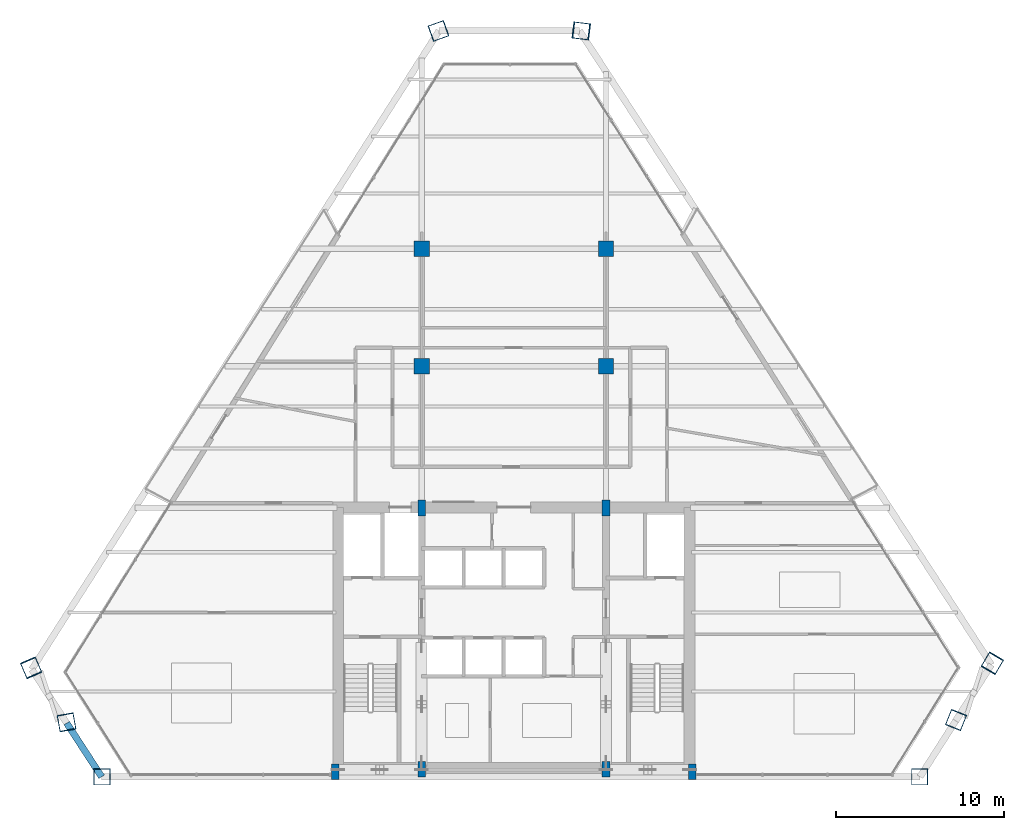
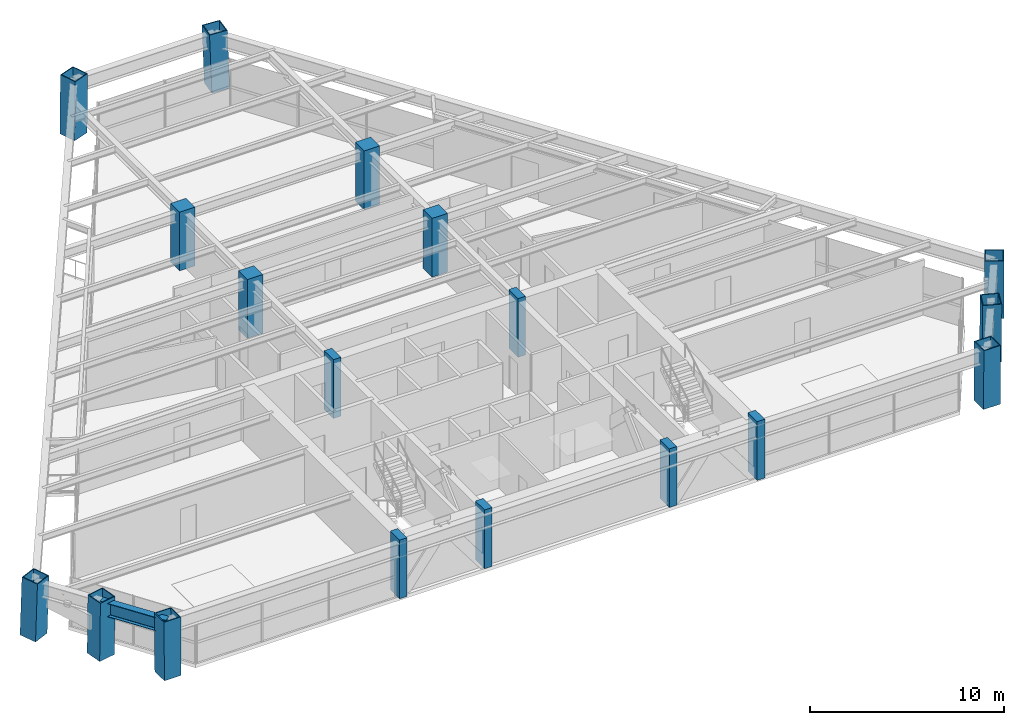
# One storey, part 1 of 15: 18 columns, 1 beam.
"""IFC4 building model written with IfcOpenShell, lengths in metres."""

from ifc_helpers import new_model, si_unit, direction, frame, origin, origin_2d, place, context, subcontext, project, spatial, rectangle, hollow_rectangle, i_section, extrude, source, transform, mapped, material, material_profile, profile_set, type_object, type_shapes, element, save


model = new_model("IFC4")

# Units and contexts
model_context = context("Model", 3, precision=1e-05, world=origin(), true_north=direction((0.0, 1.0)))
body_context = subcontext(model_context, "Body", "Model", "MODEL_VIEW")
ifc_project = project(units=[si_unit("LENGTHUNIT", "METRE"), si_unit("AREAUNIT", "SQUARE_METRE"), si_unit("VOLUMEUNIT", "CUBIC_METRE"), si_unit("PLANEANGLEUNIT", "RADIAN"), si_unit("MASSUNIT", "GRAM", prefix="KILO")], contexts=[model_context])

# Site, building, storey
site_placement = place(None, origin())
site = spatial("IfcSite", under=ifc_project, at=site_placement, CompositionType="ELEMENT")
building_placement = place(site_placement, origin())
building = spatial("IfcBuilding", under=site, at=building_placement, Name="Varnakhor Terracotta Tower", CompositionType="ELEMENT")
storey_placement = place(building_placement, frame((0.0, 0.0, 182.10009765625)))
storey = spatial("IfcBuildingStorey", under=building, at=storey_placement, Name="L46", CompositionType="ELEMENT", Elevation=182.10009765625)

# Columns
ifc_material_1 = material(Name="Concrete C50/60", Category="concrete")
ifc_material_profile_1 = material_profile(ifc_material_1, rectangle(XDim=0.449951171875, YDim=0.949951171875, at=origin_2d()), Name="RC PILASTER 950x450")
ifc_profile_set_1 = profile_set([ifc_material_profile_1], Name="Concrete C50/60")
column_type_1 = type_object("IfcColumnType", Name="COL-PIL-950x450", PredefinedType="PILASTER", material=ifc_profile_set_1)
shared_shape_1 = source(origin(), body_context, "Body", "SweptSolid", [
    extrude(rectangle(XDim=0.449951171875, YDim=0.949951171875, at=origin_2d()), origin(), (0.0, 0.0, 1.0), 3.699951171875),
])
for number, where, z_axis, x_axis, name in (
    (1, (-10.64990234375, 0.300048828125, 0.0), (0.0, 0.0, 1.0), (1.0, 0.0, 0.0), "L46 Core Pilaster CP1"),
    (2, (-5.5, 0.449951171875, 0.0), (0.0, 0.0, 1.0), (1.0, 0.0, 0.0), "L46 Core Pilaster CP2"),
    (3, (5.5, 0.449951171875, 0.0), (0.0, 0.0, 1.0), (1.0, 0.0, 0.0), "L46 Core Pilaster CP3"),
    (4, (10.64990234375, 0.300048828125, 0.0), (0.0, 0.0, 1.0), (1.0, 0.0, 0.0), "L46 Core Pilaster CP4"),
    (5, (-5.5, 16.050048828125, 0.0), (0.0, 0.0, 1.0), (1.0, 0.0, 0.0), "L46 Core Pilaster CP5"),
    (6, (5.5, 16.050048828125, 0.0), (0.0, 0.0, 1.0), (1.0, 0.0, 0.0), "L46 Core Pilaster CP6"),
):
    element("IfcColumn", number, at=place(storey_placement, frame(where, z_axis=z_axis, x_axis=x_axis)), inside=storey, type_object=column_type_1, Name=name, PredefinedType="PILASTER", context=body_context, shape_type="MappedRepresentation", body=[
        mapped(shared_shape_1, transform((0.0, 0.0, 0.0), scale=1.0)),
    ])
ifc_material_profile_2 = material_profile(ifc_material_1, rectangle(XDim=0.919921875, YDim=0.919921875, at=origin_2d()), Name="RC 920x920")
ifc_profile_set_2 = profile_set([ifc_material_profile_2], Name="Concrete C50/60")
column_type_2 = type_object("IfcColumnType", Name="COL-RC-920", PredefinedType="COLUMN", material=ifc_profile_set_2)
shared_shape_2 = source(origin(), body_context, "Body", "SweptSolid", [
    extrude(rectangle(XDim=0.919921875, YDim=0.919921875, at=origin_2d()), origin(), (0.0, 0.0, 1.0), 3.699951171875),
])
for number, where, z_axis, x_axis, name in (
    (7, (-5.5, 24.5, 0.0), (0.0, 0.0, 1.0), (1.0, 0.0, 0.0), "L46 Interior Tower Column IC1"),
    (8, (5.5, 24.5, 0.0), (0.0, 0.0, 1.0), (1.0, 0.0, 0.0), "L46 Interior Tower Column IC2"),
    (9, (-5.5, 31.5, 0.0), (0.0, 0.0, 1.0), (1.0, 0.0, 0.0), "L46 Interior Tower Column IC3"),
    (10, (5.5, 31.5, 0.0), (0.0, 0.0, 1.0), (1.0, 0.0, 0.0), "L46 Interior Tower Column IC4"),
):
    element("IfcColumn", number, at=place(storey_placement, frame(where, z_axis=z_axis, x_axis=x_axis)), inside=storey, type_object=column_type_2, Name=name, PredefinedType="COLUMN", context=body_context, shape_type="MappedRepresentation", body=[
        mapped(shared_shape_2, transform((0.0, 0.0, 0.0), scale=1.0)),
    ])
ifc_material_2 = material(Name="Steel S460", Category="steel")
ifc_material_profile_3 = material_profile(ifc_material_2, hollow_rectangle(XDim=1.0, YDim=1.0, WallThickness=0.050048828125, at=origin_2d()), Name="BOX 1000x1000x50")
ifc_profile_set_3 = profile_set([ifc_material_profile_3], Name="Steel S460")
column_type_3 = type_object("IfcColumnType", Name="COL-MEGA-1000", PredefinedType="COLUMN", material=ifc_profile_set_3)
shared_shape_3 = source(origin(), body_context, "Body", "SweptSolid", [
    extrude(hollow_rectangle(XDim=1.0, YDim=1.0, WallThickness=0.050048828125, at=origin_2d()), origin(), (0.0, 0.0, 1.0), 3.69140625),
])
type_shapes(column_type_3, [shared_shape_3])
column_1_placement = place(storey_placement, frame((-4.502685546875, 44.503662109375, 0.00439453125), z_axis=(0.012169099971, 0.00436500325, 0.999916426384), x_axis=(-0.337632349569, 0.941278065465, 0.0)))
element("IfcColumn", 11, at=column_1_placement, inside=storey, type_object=column_type_3, Name="L46 Perimeter Mega-Column M6", PredefinedType="COLUMN", context=body_context, shape_type="MappedRepresentation", body=[
    mapped(shared_shape_3, transform((0.0, 0.0, 0.0), scale=1.0)),
])
shared_shape_4 = source(origin(), body_context, "Body", "SweptSolid", [
    extrude(hollow_rectangle(XDim=1.0, YDim=1.0, WallThickness=0.050048828125, at=origin_2d()), origin(), (0.0, 0.0, 1.0), 3.691162109375),
])
for number, where, z_axis, x_axis, name in (
    (12, (-24.567626953125, 0.0, 0.00439453125), (-0.007539966892, 0.0, 0.999971574046), (0.0, -1.0, 0.0), "L46 Perimeter Mega-Column M1"),
    (13, (24.216796875, 0.0, 0.00439453125), (0.005688114871, 0.0, 0.999983822544), (0.0, 1.0, 0.0), "L46 Perimeter Mega-Column M2"),
):
    element("IfcColumn", number, at=place(storey_placement, frame(where, z_axis=z_axis, x_axis=x_axis)), inside=storey, type_object=column_type_3, Name=name, PredefinedType="COLUMN", context=body_context, shape_type="MappedRepresentation", body=[
        mapped(shared_shape_4, transform((0.0, 0.0, 0.0), scale=1.0)),
    ])
shared_shape_5 = source(origin(), body_context, "Body", "SweptSolid", [
    extrude(hollow_rectangle(XDim=1.0, YDim=1.0, WallThickness=0.050048828125, at=origin_2d()), origin(), (0.0, 0.0, 1.0), 3.691650390625),
])
for number, where, z_axis, x_axis, name in (
    (14, (26.39111328125, 3.397216796875, 0.00439453125), (-0.005885896264, -0.014681673826, 0.999874894514), (0.928188064334, -0.372111431197, 0.0), "L46 Perimeter Mega-Column M3"),
    (15, (-26.688232421875, 3.261474609375, 0.00439453125), (0.002843748448, -0.015541415935, 0.999875180953), (0.983668370017, 0.179990382599, 0.0), "L46 Perimeter Mega-Column M8"),
):
    element("IfcColumn", number, at=place(storey_placement, frame(where, z_axis=z_axis, x_axis=x_axis)), inside=storey, type_object=column_type_3, Name=name, PredefinedType="COLUMN", context=body_context, shape_type="MappedRepresentation", body=[
        mapped(shared_shape_5, transform((0.0, 0.0, 0.0), scale=1.0)),
    ])
shared_shape_6 = source(origin(), body_context, "Body", "SweptSolid", [
    extrude(hollow_rectangle(XDim=1.0, YDim=1.0, WallThickness=0.050048828125, at=origin_2d()), origin(), (0.0, 0.0, 1.0), 3.693359375),
])
for number, where, z_axis, x_axis, name in (
    (16, (28.565185546875, 6.794677734375, 0.00439453125), (-0.017319122695, -0.02934996365, 0.999419145115), (0.861235298712, -0.508206415006, 0.0), "L46 Perimeter Mega-Column M4"),
    (17, (-28.80908203125, 6.522705078125, 0.00439453125), (0.013286992355, -0.030936877723, 0.999433021983), (0.918840099924, 0.394630042916, 0.0), "L46 Perimeter Mega-Column M7"),
):
    element("IfcColumn", number, at=place(storey_placement, frame(where, z_axis=z_axis, x_axis=x_axis)), inside=storey, type_object=column_type_3, Name=name, PredefinedType="COLUMN", context=body_context, shape_type="MappedRepresentation", body=[
        mapped(shared_shape_6, transform((0.0, 0.0, 0.0), scale=1.0)),
    ])
shared_shape_7 = source(origin(), body_context, "Body", "SweptSolid", [
    extrude(hollow_rectangle(XDim=1.0, YDim=1.0, WallThickness=0.050048828125, at=origin_2d()), origin(), (0.0, 0.0, 1.0), 3.693603515625),
])
column_2_placement = place(storey_placement, frame((4.04638671875, 44.503662109375, 0.00439453125), z_axis=(-0.035957604611, 0.004362503501, 0.999343794314), x_axis=(-0.120440362597, -0.992720564438, 0.0)))
element("IfcColumn", 18, at=column_2_placement, inside=storey, type_object=column_type_3, Name="L46 Perimeter Mega-Column M5", PredefinedType="COLUMN", context=body_context, shape_type="MappedRepresentation", body=[
    mapped(shared_shape_7, transform((0.0, 0.0, 0.0), scale=1.0)),
])

# Beam
ifc_material_3 = material(Name="Steel S355", Category="steel")
ifc_material_profile_4 = material_profile(ifc_material_3, i_section(OverallWidth=0.39990234375, OverallDepth=0.85498046875, WebThickness=0.01806640625, FlangeThickness=0.029052734375, FilletRadius=0.01806640625, at=origin_2d()), Name="W33X201")
ifc_profile_set_4 = profile_set([ifc_material_profile_4], Name="Steel S355")
beam_type = type_object("IfcBeamType", Name="BM-W33X201", PredefinedType="BEAM", material=ifc_profile_set_4)
shared_shape_8 = source(origin(), body_context, "Body", "SweptSolid", [
    extrude(i_section(OverallWidth=0.39990234375, OverallDepth=0.85498046875, WebThickness=0.01806640625, FlangeThickness=0.029052734375, FilletRadius=0.01806640625, at=origin_2d()), origin(), (0.0, 0.0, 1.0), 3.8212890625),
])
beam_placement = place(storey_placement, frame((-26.677734375, 3.2041015625, 3.04248046875), z_axis=(0.544916486554, -0.838490323547, 0.0), x_axis=(0.838490323547, 0.544916486554, 0.0)))
element("IfcBeam", 19, at=beam_placement, inside=storey, type_object=beam_type, Name="L46 Perimeter Spandrel 8", PredefinedType="BEAM", context=body_context, shape_type="MappedRepresentation", body=[
    mapped(shared_shape_8, transform((0.0, 0.0, 0.0), scale=1.0)),
])

save(model, "model.ifc")
